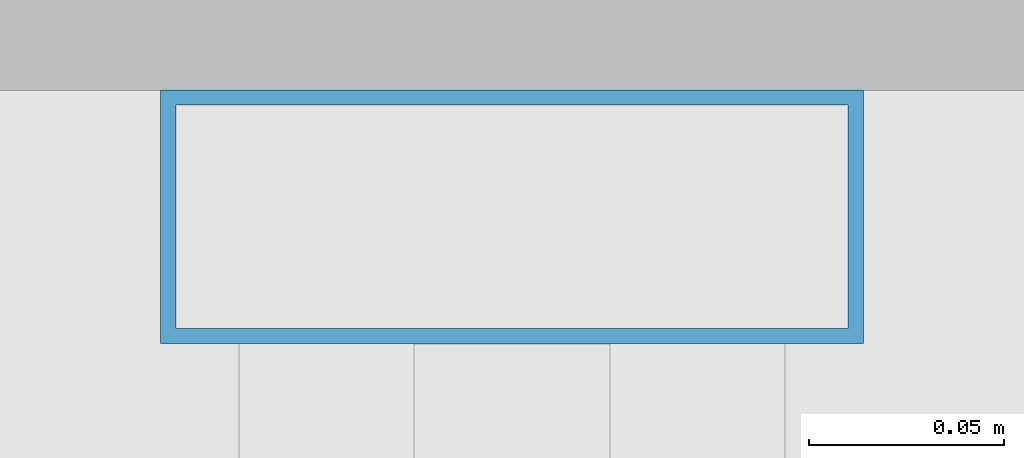
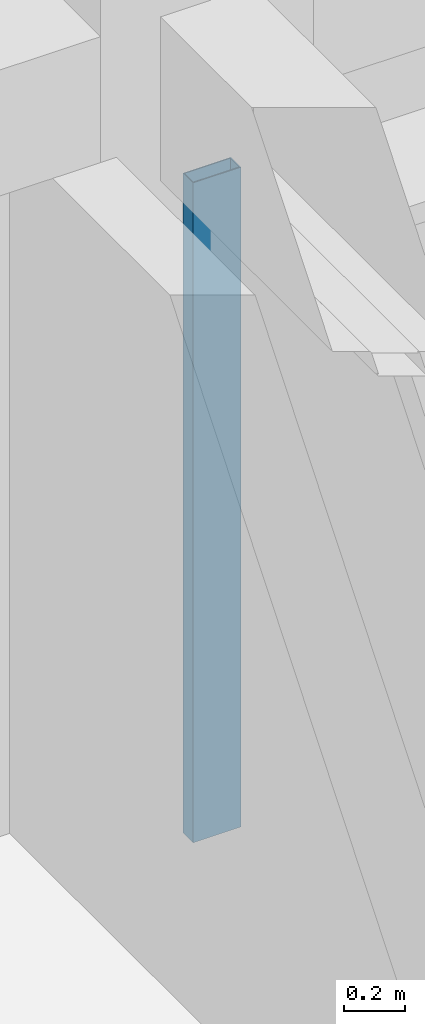
# One storey, part 5 of 50: 1 member, 1 element without a shape of its own.
"""IFC4 building model written with IfcOpenShell, lengths in metres."""

from ifc_helpers import new_model, si_unit, direction, frame, origin, origin_2d, place, context, subcontext, project, spatial, hollow_rectangle, extrude, material, material_profile, profile_set, type_object, element, aggregate, save


model = new_model("IFC4")

# Units and contexts
model_context = context("Model", 3, precision=1e-05, world=origin(), true_north=direction((0.0, 1.0)))
body_context = subcontext(model_context, "Body", "Model", "MODEL_VIEW")
ifc_project = project(units=[si_unit("LENGTHUNIT", "METRE"), si_unit("AREAUNIT", "SQUARE_METRE"), si_unit("VOLUMEUNIT", "CUBIC_METRE"), si_unit("PLANEANGLEUNIT", "RADIAN"), si_unit("MASSUNIT", "GRAM", prefix="KILO"), si_unit("THERMODYNAMICTEMPERATUREUNIT", "KELVIN"), si_unit("POWERUNIT", "WATT")], contexts=[model_context])

# Site, building, storey
site_placement = place(None, origin())
site = spatial("IfcSite", under=ifc_project, at=site_placement, CompositionType="ELEMENT")
building_placement = place(site_placement, origin())
building = spatial("IfcBuilding", under=site, at=building_placement, Name="Srebrne Nadtorze General Hospital", CompositionType="ELEMENT")
storey_placement = place(building_placement, frame((0.0, 0.0, 14.39990234375)))
storey = spatial("IfcBuildingStorey", under=building, at=storey_placement, Name="L03", CompositionType="ELEMENT", Elevation=14.39990234375)

# Curtain wall, member
ifc_material_1 = material(Name="Anodised Aluminium", Category="aluminium")
curtain_wall_type = type_object("IfcCurtainWallType", Name="Unitised curtain wall 7600x2620", PredefinedType="NOTDEFINED", material=ifc_material_1)
curtain_wall_placement = place(storey_placement, origin())
curtain_wall = element("IfcCurtainWall", 1, at=curtain_wall_placement, inside=storey, type_object=curtain_wall_type, Name="Curtain wall CW-095", PredefinedType="NOTDEFINED")
ifc_material_2 = material(Name="Anodised Aluminium", Category="aluminium")
ifc_material_profile = material_profile(ifc_material_2, hollow_rectangle(XDim=0.06494140625, YDim=0.179931640625, WallThickness=0.00390625, at=origin_2d()), Name="AL-MUL-65x180")
ifc_profile_set = profile_set([ifc_material_profile], Name="Anodised Aluminium")
member_type = type_object("IfcMemberType", Name="Curtain mullion 65x180", PredefinedType="MULLION", material=ifc_profile_set)
member_placement = place(storey_placement, frame((54.60009765625, 49.967529296875, 0.0), z_axis=(0.0, 0.0, 1.0), x_axis=(0.0, 1.0, 0.0)))
member = element("IfcMember", 2, at=member_placement, type_object=member_type, Name="CW-095 mullion 3", PredefinedType="MULLION", context=body_context, shape_type="SweptSolid", body=[
    extrude(hollow_rectangle(XDim=0.06494140625, YDim=0.179931640625, WallThickness=0.00390625, at=origin_2d()), origin(), (0.0, 0.0, 1.0), 2.6201171875),
])
aggregate(curtain_wall, [member])

save(model, "model.ifc")
